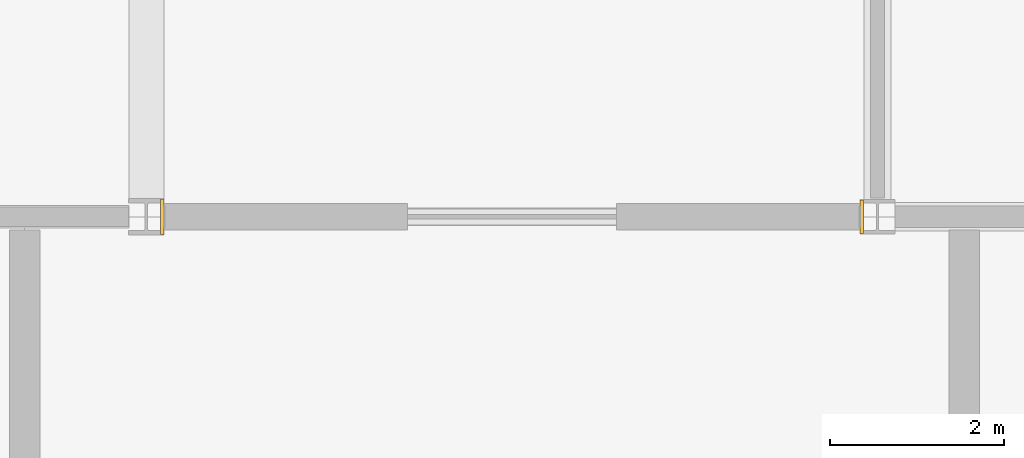
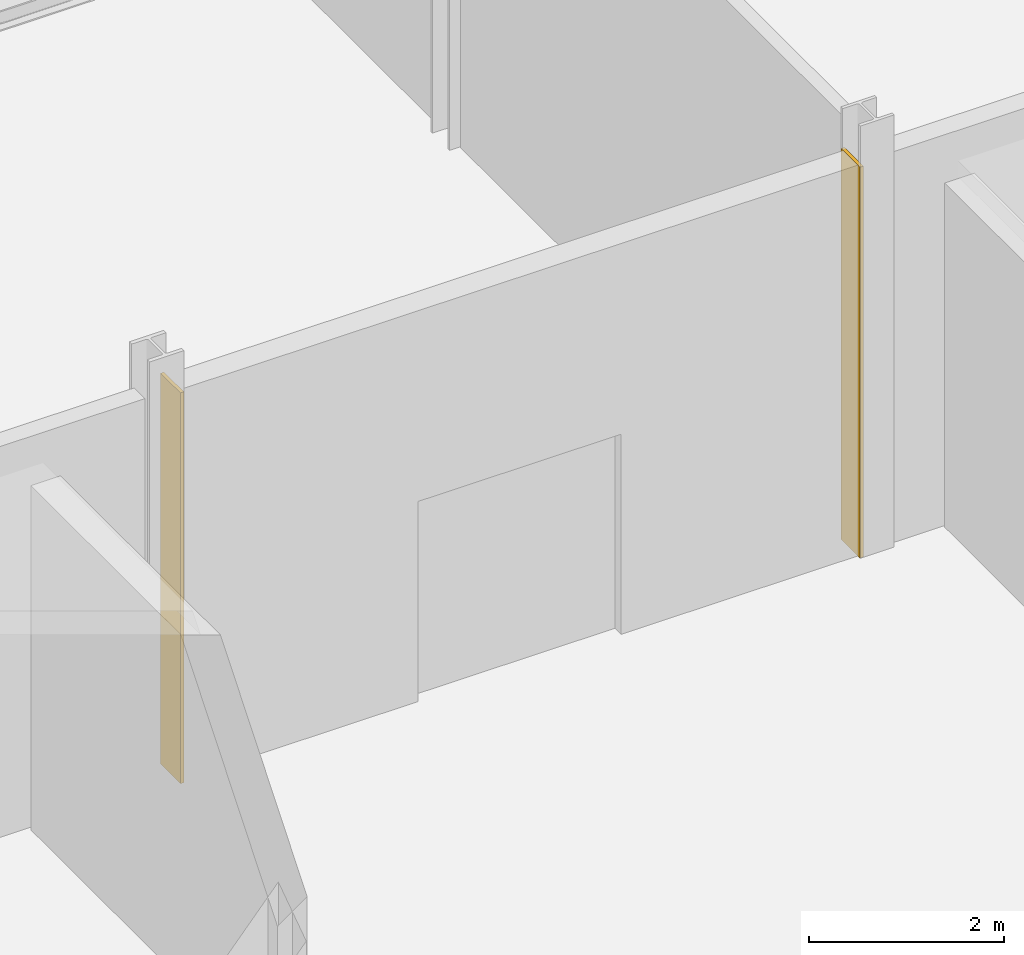
# One storey, part 206 of 229: 2 coverings.
"""IFC4 building model written with IfcOpenShell, lengths in metres."""

from ifc_helpers import new_model, si_unit, direction, origin, place, context, subcontext, project, spatial, polyline, outline, extrude, material, layer, layer_set, type_object, element, save


model = new_model("IFC4")

# Units and contexts
model_context = context("Model", 3, precision=1e-05, world=origin(), true_north=direction((0.0, 1.0)))
body_context = subcontext(model_context, "Body", "Model", "MODEL_VIEW")
ifc_project = project(units=[si_unit("LENGTHUNIT", "METRE"), si_unit("AREAUNIT", "SQUARE_METRE"), si_unit("VOLUMEUNIT", "CUBIC_METRE"), si_unit("PLANEANGLEUNIT", "RADIAN"), si_unit("MASSUNIT", "GRAM", prefix="KILO")], contexts=[model_context])

# Site, building, storey
site_placement = place(None, origin())
site = spatial("IfcSite", under=ifc_project, at=site_placement, CompositionType="ELEMENT")
building_placement = place(site_placement, origin())
building = spatial("IfcBuilding", under=site, at=building_placement, Name="Calvrana Isthmian Art Gallery", CompositionType="ELEMENT")
storey_placement = place(building_placement, origin())
storey = spatial("IfcBuildingStorey", under=building, at=storey_placement, Name="L00", CompositionType="ELEMENT", Elevation=0.0)

# Coverings
ifc_material = material(Name="Polychrome glazed terracotta", Category="masonry")
ifc_layer = layer(ifc_material, 0.0400390625, Name="Polychrome glazed terracotta")
ifc_layer_set = layer_set([ifc_layer], Name="Polychrome glazed terracotta")
covering_type = type_object("IfcCoveringType", Name="COV-CLAD-TERRA", PredefinedType="CLADDING", material=ifc_layer_set)
covering_1_placement = place(storey_placement, origin())
element("IfcCovering", 1, at=covering_1_placement, inside=storey, type_object=covering_type, Name="Column pocket weather closure L00-05-03-W", PredefinedType="CLADDING", context=body_context, shape_type="SweptSolid", body=[
    extrude(outline(polyline([(38.56298828125, 21.396484375), (38.60302734375, 21.396484375), (38.60302734375, 21.803466796875), (38.56298828125, 21.803466796875), (38.56298828125, 21.396484375)])), origin(), (0.0, 0.0, 1.0), 4.882568359375),
])
covering_2_placement = place(storey_placement, origin())
element("IfcCovering", 2, at=covering_2_placement, inside=storey, type_object=covering_type, Name="Column pocket weather closure L00-05-03-E", PredefinedType="CLADDING", context=body_context, shape_type="SweptSolid", body=[
    extrude(outline(polyline([(46.599609375, 21.405517578125), (46.639404296875, 21.405517578125), (46.639404296875, 21.79443359375), (46.599609375, 21.79443359375), (46.599609375, 21.405517578125)])), origin(), (0.0, 0.0, 1.0), 4.882568359375),
])

save(model, "model.ifc")
